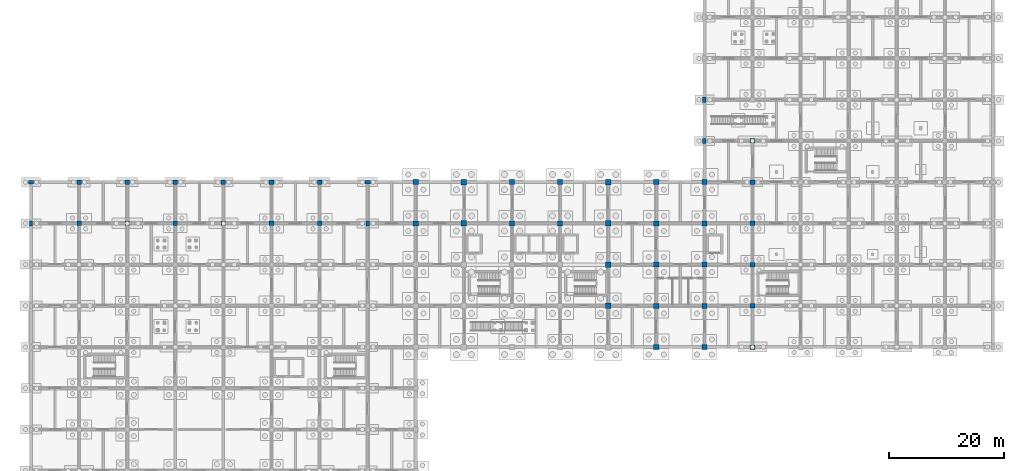
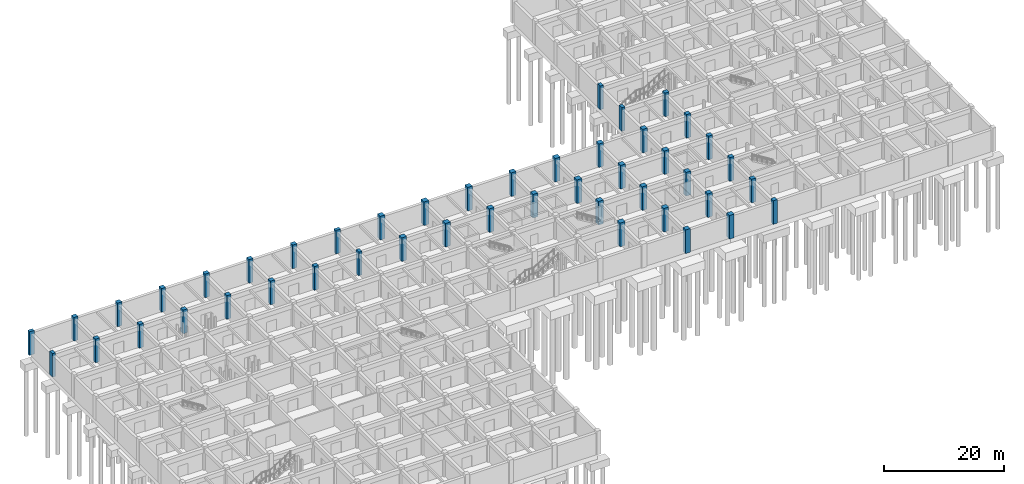
# One storey, part 11 of 38: 46 columns.
"""IFC4 building model written with IfcOpenShell, lengths in metres."""

from ifc_helpers import new_model, si_unit, derived_unit, direction, frame, origin, origin_2d, place, context, subcontext, project, spatial, rectangle, extrude, material, material_profile, profile_set, type_object, element, save


model = new_model("IFC4")

# Units and contexts
model_context = context("Model", 3, precision=1e-05, world=origin(), true_north=direction((0.0, 1.0)))
body_context = subcontext(model_context, "Body", "Model", "MODEL_VIEW")
ifc_project = project(units=[si_unit("LENGTHUNIT", "METRE"), si_unit("AREAUNIT", "SQUARE_METRE"), si_unit("VOLUMEUNIT", "CUBIC_METRE"), si_unit("PLANEANGLEUNIT", "RADIAN"), si_unit("MASSUNIT", "GRAM", prefix="KILO"), derived_unit("THERMALTRANSMITTANCEUNIT", [(si_unit("MASSUNIT", "GRAM", prefix="KILO"), 1), (si_unit("TIMEUNIT", "SECOND"), -3), (si_unit("THERMODYNAMICTEMPERATUREUNIT", "KELVIN"), -1)])], contexts=[model_context])

# Site, building, storey
site_placement = place(None, origin())
site = spatial("IfcSite", under=ifc_project, at=site_placement, CompositionType="ELEMENT")
building_placement = place(site_placement, origin())
building = spatial("IfcBuilding", under=site, at=building_placement, Name="Veldstrom Oceanarium and Marine Research Institute", CompositionType="ELEMENT")
storey_placement = place(building_placement, frame((0.0, 0.0, -9.60009765625)))
storey = spatial("IfcBuildingStorey", under=building, at=storey_placement, Name="B02", CompositionType="ELEMENT", Elevation=-9.60009765625)

# Columns
ifc_material_1 = material(Name="Concrete C50/60", Category="concrete")
ifc_material_profile_1 = material_profile(ifc_material_1, rectangle(XDim=0.949951171875, YDim=0.949951171875, at=origin_2d()), Name="RC-COL-950x950")
ifc_profile_set_1 = profile_set([ifc_material_profile_1], Name="Concrete C50/60")
column_type_1 = type_object("IfcColumnType", Name="STR-COL-C01", PredefinedType="COLUMN", material=ifc_profile_set_1)
for number, where, z_axis, x_axis, name in (
    (1, (75.60009765625, 64.800048828125, 0.0), (0.0, 0.0, 1.0), (1.0, 0.0, 0.0), "Column C01 10/K B02"),
    (2, (75.60009765625, 72.0, 0.0), (0.0, 0.0, 1.0), (1.0, 0.0, 0.0), "Column C01 10/L B02"),
    (3, (100.800048828125, 50.39990234375, 0.0), (0.0, 0.0, 1.0), (1.0, 0.0, 0.0), "Column C01 13/H B02"),
    (4, (100.800048828125, 57.60009765625, 0.0), (0.0, 0.0, 1.0), (1.0, 0.0, 0.0), "Column C01 13/J B02"),
    (5, (100.800048828125, 64.800048828125, 0.0), (0.0, 0.0, 1.0), (1.0, 0.0, 0.0), "Column C01 13/K B02"),
    (6, (100.800048828125, 72.0, 0.0), (0.0, 0.0, 1.0), (1.0, 0.0, 0.0), "Column C01 13/L B02"),
):
    element("IfcColumn", number, at=place(storey_placement, frame(where, z_axis=z_axis, x_axis=x_axis)), inside=storey, type_object=column_type_1, Name=name, PredefinedType="COLUMN", context=body_context, shape_type="SweptSolid", body=[
        extrude(rectangle(XDim=0.949951171875, YDim=0.949951171875, at=origin_2d()), origin(), (0.0, 0.0, 1.0), 4.800048828125),
    ])
ifc_material_2 = material(Name="Concrete C50/60", Category="concrete")
ifc_material_profile_2 = material_profile(ifc_material_2, rectangle(XDim=0.89990234375, YDim=0.89990234375, at=origin_2d()), Name="RC-COL-900x900")
ifc_profile_set_2 = profile_set([ifc_material_profile_2], Name="Concrete C50/60")
column_type_2 = type_object("IfcColumnType", Name="STR-COL-C02", PredefinedType="COLUMN", material=ifc_profile_set_2)
for number, where, z_axis, x_axis, name in (
    (7, (67.199951171875, 64.800048828125, 0.0), (0.0, 0.0, 1.0), (1.0, 0.0, 0.0), "Column C02 9/K B02"),
    (8, (67.199951171875, 72.0, 0.0), (0.0, 0.0, 1.0), (1.0, 0.0, 0.0), "Column C02 9/L B02"),
    (9, (84.0, 64.800048828125, 0.0), (0.0, 0.0, 1.0), (1.0, 0.0, 0.0), "Column C02 11/K B02"),
    (10, (84.0, 72.0, 0.0), (0.0, 0.0, 1.0), (1.0, 0.0, 0.0), "Column C02 11/L B02"),
    (11, (92.39990234375, 64.800048828125, 0.0), (0.0, 0.0, 1.0), (1.0, 0.0, 0.0), "Column C02 12/K B02"),
    (12, (92.39990234375, 72.0, 0.0), (0.0, 0.0, 1.0), (1.0, 0.0, 0.0), "Column C02 12/L B02"),
    (13, (109.199951171875, 43.199951171875, 0.0), (0.0, 0.0, 1.0), (1.0, 0.0, 0.0), "Column C02 14/G B02"),
    (14, (109.199951171875, 50.39990234375, 0.0), (0.0, 0.0, 1.0), (1.0, 0.0, 0.0), "Column C02 14/H B02"),
    (15, (109.199951171875, 57.60009765625, 0.0), (0.0, 0.0, 1.0), (1.0, 0.0, 0.0), "Column C02 14/J B02"),
    (16, (109.199951171875, 64.800048828125, 0.0), (0.0, 0.0, 1.0), (1.0, 0.0, 0.0), "Column C02 14/K B02"),
    (17, (109.199951171875, 72.0, 0.0), (0.0, 0.0, 1.0), (1.0, 0.0, 0.0), "Column C02 14/L B02"),
    (18, (117.60009765625, 43.199951171875, 0.0), (0.0, 0.0, 1.0), (1.0, 0.0, 0.0), "Column C02 15/G B02"),
    (19, (117.60009765625, 50.39990234375, 0.0), (0.0, 0.0, 1.0), (1.0, 0.0, 0.0), "Column C02 15/H B02"),
    (20, (117.60009765625, 57.60009765625, 0.0), (0.0, 0.0, 1.0), (1.0, 0.0, 0.0), "Column C02 15/J B02"),
    (21, (117.60009765625, 64.800048828125, 0.0), (0.0, 0.0, 1.0), (1.0, 0.0, 0.0), "Column C02 15/K B02"),
    (22, (117.60009765625, 72.0, 0.0), (0.0, 0.0, 1.0), (1.0, 0.0, 0.0), "Column C02 15/L B02"),
):
    element("IfcColumn", number, at=place(storey_placement, frame(where, z_axis=z_axis, x_axis=x_axis)), inside=storey, type_object=column_type_2, Name=name, PredefinedType="COLUMN", context=body_context, shape_type="SweptSolid", body=[
        extrude(rectangle(XDim=0.89990234375, YDim=0.89990234375, at=origin_2d()), origin(), (0.0, 0.0, 1.0), 4.800048828125),
    ])
ifc_material_3 = material(Name="Concrete C50/60", Category="concrete")
ifc_material_profile_3 = material_profile(ifc_material_3, rectangle(XDim=0.800048828125, YDim=0.800048828125, at=origin_2d()), Name="RC-COL-800x800")
ifc_profile_set_3 = profile_set([ifc_material_profile_3], Name="Concrete C50/60")
column_type_3 = type_object("IfcColumnType", Name="STR-COL-C04", PredefinedType="COLUMN", material=ifc_profile_set_3)
for number, where, z_axis, x_axis, name in (
    (23, (8.39990234375, 64.800048828125, 0.0), (0.0, 0.0, 1.0), (1.0, 0.0, 0.0), "Column C04 2/K B02"),
    (24, (8.39990234375, 72.0, 0.0), (0.0, 0.0, 1.0), (1.0, 0.0, 0.0), "Column C04 2/L B02"),
    (25, (16.800048828125, 64.800048828125, 0.0), (0.0, 0.0, 1.0), (1.0, 0.0, 0.0), "Column C04 3/K B02"),
    (26, (16.800048828125, 72.0, 0.0), (0.0, 0.0, 1.0), (1.0, 0.0, 0.0), "Column C04 3/L B02"),
    (27, (25.199951171875, 64.800048828125, 0.0), (0.0, 0.0, 1.0), (1.0, 0.0, 0.0), "Column C04 4/K B02"),
    (28, (25.199951171875, 72.0, 0.0), (0.0, 0.0, 1.0), (1.0, 0.0, 0.0), "Column C04 4/L B02"),
    (29, (33.60009765625, 64.800048828125, 0.0), (0.0, 0.0, 1.0), (1.0, 0.0, 0.0), "Column C04 5/K B02"),
    (30, (33.60009765625, 72.0, 0.0), (0.0, 0.0, 1.0), (1.0, 0.0, 0.0), "Column C04 5/L B02"),
    (31, (42.0, 64.800048828125, 0.0), (0.0, 0.0, 1.0), (1.0, 0.0, 0.0), "Column C04 6/K B02"),
    (32, (42.0, 72.0, 0.0), (0.0, 0.0, 1.0), (1.0, 0.0, 0.0), "Column C04 6/L B02"),
    (33, (50.39990234375, 64.800048828125, 0.0), (0.0, 0.0, 1.0), (1.0, 0.0, 0.0), "Column C04 7/K B02"),
    (34, (50.39990234375, 72.0, 0.0), (0.0, 0.0, 1.0), (1.0, 0.0, 0.0), "Column C04 7/L B02"),
    (35, (126.0, 43.199951171875, 0.0), (0.0, 0.0, 1.0), (1.0, 0.0, 0.0), "Column C04 16/G B02"),
    (36, (126.0, 50.39990234375, 0.0), (0.0, 0.0, 1.0), (1.0, 0.0, 0.0), "Column C04 16/H B02"),
    (37, (126.0, 57.60009765625, 0.0), (0.0, 0.0, 1.0), (1.0, 0.0, 0.0), "Column C04 16/J B02"),
    (38, (126.0, 64.800048828125, 0.0), (0.0, 0.0, 1.0), (1.0, 0.0, 0.0), "Column C04 16/K B02"),
    (39, (126.0, 72.0, 0.0), (0.0, 0.0, 1.0), (1.0, 0.0, 0.0), "Column C04 16/L B02"),
    (40, (126.0, 79.199951171875, 0.0), (0.0, 0.0, 1.0), (1.0, 0.0, 0.0), "Column C04 16/M B02"),
):
    element("IfcColumn", number, at=place(storey_placement, frame(where, z_axis=z_axis, x_axis=x_axis)), inside=storey, type_object=column_type_3, Name=name, PredefinedType="COLUMN", context=body_context, shape_type="SweptSolid", body=[
        extrude(rectangle(XDim=0.800048828125, YDim=0.800048828125, at=origin_2d()), origin(), (0.0, 0.0, 1.0), 4.800048828125),
    ])
ifc_material_4 = material(Name="Concrete C50/60", Category="concrete")
ifc_material_profile_4 = material_profile(ifc_material_4, rectangle(XDim=0.60009765625, YDim=0.89990234375, at=origin_2d()), Name="RC-COL-900x600")
ifc_profile_set_4 = profile_set([ifc_material_profile_4], Name="Concrete C50/60")
column_type_4 = type_object("IfcColumnType", Name="STR-COL-C11", PredefinedType="COLUMN", material=ifc_profile_set_4)
for number, where, z_axis, x_axis, name in (
    (41, (0.0, 64.800048828125, 0.0), (0.0, 0.0, 1.0), (1.0, 0.0, 0.0), "Column C11 1/K B02"),
    (42, (0.0, 72.0, 0.0), (0.0, 0.0, 1.0), (0.0, 1.0, 0.0), "Column C11 1/L B02"),
    (43, (58.800048828125, 64.800048828125, 0.0), (0.0, 0.0, 1.0), (1.0, 0.0, 0.0), "Column C11 8/K B02"),
    (44, (58.800048828125, 72.0, 0.0), (0.0, 0.0, 1.0), (0.0, 1.0, 0.0), "Column C11 8/L B02"),
    (45, (117.60009765625, 79.199951171875, 0.0), (0.0, 0.0, 1.0), (1.0, 0.0, 0.0), "Column C11 15/M B02"),
    (46, (117.60009765625, 86.39990234375, 0.0), (0.0, 0.0, 1.0), (1.0, 0.0, 0.0), "Column C11 15/N B02"),
):
    element("IfcColumn", number, at=place(storey_placement, frame(where, z_axis=z_axis, x_axis=x_axis)), inside=storey, type_object=column_type_4, Name=name, PredefinedType="COLUMN", context=body_context, shape_type="SweptSolid", body=[
        extrude(rectangle(XDim=0.60009765625, YDim=0.89990234375, at=origin_2d()), origin(), (0.0, 0.0, 1.0), 4.800048828125),
    ])

save(model, "model.ifc")
